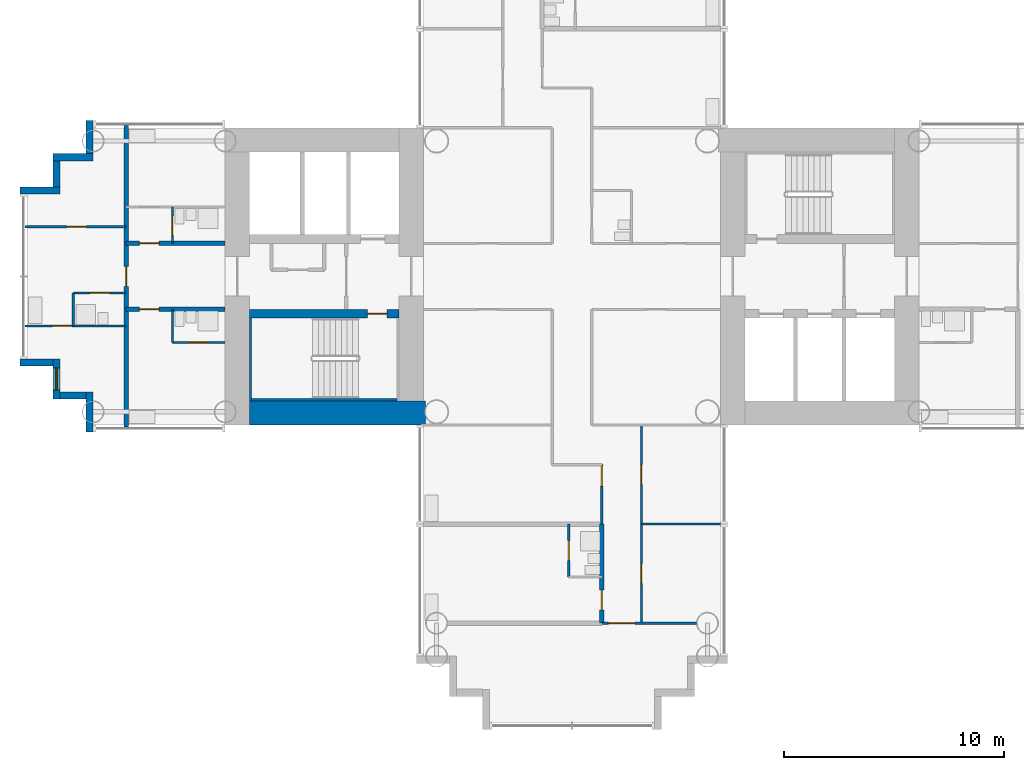
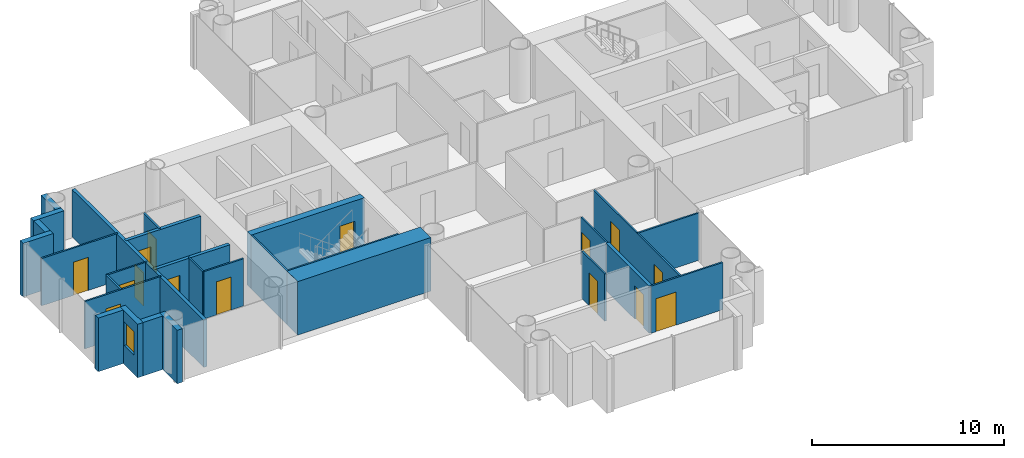
# One storey, part 9 of 21: 28 walls, 15 doors, 1 window, 16 openings.
"""IFC4 building model written with IfcOpenShell, lengths in metres."""

from ifc_helpers import new_model, si_unit, direction, frame, frame_2d, origin, place, context, subcontext, project, spatial, rectangle, extrude, material, layer, layer_set, type_object, element, fill, save


model = new_model("IFC4")

# Units and contexts
model_context = context("Model", 3, precision=1e-05, world=origin(), true_north=direction((0.0, 1.0)))
body_context = subcontext(model_context, "Body", "Model", "MODEL_VIEW")
ifc_project = project(units=[si_unit("LENGTHUNIT", "METRE"), si_unit("AREAUNIT", "SQUARE_METRE"), si_unit("VOLUMEUNIT", "CUBIC_METRE"), si_unit("PLANEANGLEUNIT", "RADIAN"), si_unit("MASSUNIT", "GRAM", prefix="KILO")], contexts=[model_context])

# Site, building, storey
site_placement = place(None, origin())
site = spatial("IfcSite", under=ifc_project, at=site_placement, CompositionType="ELEMENT")
building_placement = place(site_placement, origin())
building = spatial("IfcBuilding", under=site, at=building_placement, Name="Ipe Terrace Towers", CompositionType="ELEMENT")
storey_placement = place(building_placement, frame((0.0, 0.0, 41.5)))
storey = spatial("IfcBuildingStorey", under=building, at=storey_placement, Name="L10", CompositionType="ELEMENT", Elevation=41.5)

# Wall
ifc_material_1 = material(Name="Concrete C40/50 with buff precast cladding", Category="concrete")
ifc_layer_1 = layer(ifc_material_1, 0.320068359375)
ifc_layer_set_1 = layer_set([ifc_layer_1], Name="BUFF CLADDING WALL 320")
wall_type_1 = type_object("IfcWallType", Name="BUFF CLADDING WALL 320", PredefinedType="STANDARD", material=ifc_layer_set_1)
wall_1_placement = place(storey_placement, frame((-61.070068359375, -3.909912109375, -0.300048828125), z_axis=(0.0, 0.0, 1.0), x_axis=(1.0, 0.0, 0.0)))
element("IfcWall", 1, at=wall_1_placement, inside=storey, type_object=wall_type_1, Name="T1-W-L10-00a wall", PredefinedType="STANDARD", context=body_context, shape_type="SweptSolid", body=[
    extrude(rectangle(XDim=1.5, YDim=0.320068359375, at=frame_2d((0.75, 0.0))), origin(), (0.0, 0.0, 1.0), 3.400146484375),
])

# Wall, opening, window
wall_2_placement = place(storey_placement, frame((-59.409912109375, -3.75, -0.300048828125), z_axis=(0.0, 0.0, 1.0), x_axis=(0.0, -1.0, 0.0)))
wall_2 = element("IfcWall", 2, at=wall_2_placement, inside=storey, type_object=wall_type_1, Name="T1-W-L10-01a wall", PredefinedType="STANDARD", context=body_context, shape_type="SweptSolid", body=[
    extrude(rectangle(XDim=1.820068359375, YDim=0.320068359375, at=frame_2d((0.91015625, 0.0))), origin(), (0.0, 0.0, 1.0), 3.400146484375),
])
opening_1_placement = place(wall_2_placement, frame((0.409912109375, 0.0, 1.199951171875)))
opening_1 = element("IfcOpeningElement", 3, at=opening_1_placement, cuts=wall_2, Name="Opening T1-W-05-L10-01", PredefinedType="OPENING", context=body_context, shape_type="SweptSolid", body=[
    extrude(rectangle(XDim=1.0, YDim=1.5, at=frame_2d((0.5, 0.75))), frame((0.0, 0.169921875, 0.0), z_axis=(0.0, -1.0, 0.0), x_axis=(1.0, 0.0, 0.0)), (0.0, 0.0, 1.0), 0.340087890625),
])
ifc_material_2 = material(Name="Glass, clear laminated", Category="glass")
window_type = type_object("IfcWindowType", Name="DWELLING WINDOW 1000 x 1500", PartitioningType="SINGLE_PANEL", PredefinedType="WINDOW", material=ifc_material_2)
window_placement = place(opening_1_placement, origin())
window = element("IfcWindow", 4, at=window_placement, inside=storey, type_object=window_type, Name="W-05 window", OverallHeight=1.5, OverallWidth=1.0, PartitioningType="SINGLE_PANEL", PredefinedType="WINDOW", context=body_context, shape_type="SweptSolid", body=[
    extrude(rectangle(XDim=1.0, YDim=1.5, at=frame_2d((0.5, 0.75))), frame((0.0, 0.030029296875, 0.0), z_axis=(0.0, -1.0, 0.0), x_axis=(1.0, 0.0, 0.0)), (0.0, 0.0, 1.0), 0.06005859375),
])
fill(opening_1, window)

# Walls
wall_3_placement = place(storey_placement, frame((-59.25, -5.409912109375, -0.300048828125), z_axis=(0.0, 0.0, 1.0), x_axis=(1.0, 0.0, 0.0)))
element("IfcWall", 5, at=wall_3_placement, inside=storey, type_object=wall_type_1, Name="T1-W-L10-02a wall", PredefinedType="STANDARD", context=body_context, shape_type="SweptSolid", body=[
    extrude(rectangle(XDim=1.179931640625, YDim=0.320068359375, at=frame_2d((0.58984375, 0.0))), origin(), (0.0, 0.0, 1.0), 3.400146484375),
])
wall_4_placement = place(storey_placement, frame((-57.909912109375, -5.25, -0.300048828125), z_axis=(0.0, 0.0, 1.0), x_axis=(0.0, -1.0, 0.0)))
element("IfcWall", 6, at=wall_4_placement, inside=storey, type_object=wall_type_1, Name="T1-W-L10-03a wall", PredefinedType="STANDARD", context=body_context, shape_type="SweptSolid", body=[
    extrude(rectangle(XDim=1.820068359375, YDim=0.320068359375, at=frame_2d((0.91015625, 0.0))), origin(), (0.0, 0.0, 1.0), 3.400146484375),
])
wall_5_placement = place(storey_placement, frame((-57.909912109375, 7.070068359375, -0.300048828125), z_axis=(0.0, 0.0, 1.0), x_axis=(0.0, -1.0, 0.0)))
element("IfcWall", 7, at=wall_5_placement, inside=storey, type_object=wall_type_1, Name="T1-W-L10-47a wall", PredefinedType="STANDARD", context=body_context, shape_type="SweptSolid", body=[
    extrude(rectangle(XDim=1.5, YDim=0.320068359375, at=frame_2d((0.75, 0.0))), origin(), (0.0, 0.0, 1.0), 3.400146484375),
])
wall_6_placement = place(storey_placement, frame((-57.75, 5.409912109375, -0.300048828125), z_axis=(0.0, 0.0, 1.0), x_axis=(-1.0, 0.0, 0.0)))
element("IfcWall", 8, at=wall_6_placement, inside=storey, type_object=wall_type_1, Name="T1-W-L10-48a wall", PredefinedType="STANDARD", context=body_context, shape_type="SweptSolid", body=[
    extrude(rectangle(XDim=1.820068359375, YDim=0.320068359375, at=frame_2d((0.91015625, 0.0))), origin(), (0.0, 0.0, 1.0), 3.400146484375),
])
wall_7_placement = place(storey_placement, frame((-59.409912109375, 5.25, -0.300048828125), z_axis=(0.0, 0.0, 1.0), x_axis=(0.0, -1.0, 0.0)))
element("IfcWall", 9, at=wall_7_placement, inside=storey, type_object=wall_type_1, Name="T1-W-L10-49a wall", PredefinedType="STANDARD", context=body_context, shape_type="SweptSolid", body=[
    extrude(rectangle(XDim=1.179931640625, YDim=0.320068359375, at=frame_2d((0.58984375, 0.0))), origin(), (0.0, 0.0, 1.0), 3.400146484375),
])
wall_8_placement = place(storey_placement, frame((-59.25, 3.909912109375, -0.300048828125), z_axis=(0.0, 0.0, 1.0), x_axis=(-1.0, 0.0, 0.0)))
element("IfcWall", 10, at=wall_8_placement, inside=storey, type_object=wall_type_1, Name="T1-W-L10-50a wall", PredefinedType="STANDARD", context=body_context, shape_type="SweptSolid", body=[
    extrude(rectangle(XDim=1.820068359375, YDim=0.320068359375, at=frame_2d((0.91015625, 0.0))), origin(), (0.0, 0.0, 1.0), 3.400146484375),
])
ifc_material_3 = material(Name="Gypsum board partition", Category="plasterboard")
ifc_layer_2 = layer(ifc_material_3, 0.10009765625)
ifc_layer_set_2 = layer_set([ifc_layer_2], Name="Gypsum board partition 100 mm")
wall_type_2 = type_object("IfcWallType", Name="Gypsum board partition 100 mm", PredefinedType="PARTITIONING", material=ifc_layer_set_2)
for number, where, z_axis, x_axis, name in (
    (11, (-58.64990234375, -2.25, 0.0), (0.0, 0.0, 1.0), (0.0, 1.0, 0.0), "Gypsum board partition T1 L10 W01"),
    (12, (-54.14990234375, -3.0, 0.0), (0.0, 0.0, 1.0), (0.0, 1.0, 0.0), "Gypsum board partition T1 L10 W03"),
):
    element("IfcWall", number, at=place(storey_placement, frame(where, z_axis=z_axis, x_axis=x_axis)), inside=storey, type_object=wall_type_2, Name=name, PredefinedType="PARTITIONING", context=body_context, shape_type="SweptSolid", body=[
        extrude(rectangle(XDim=1.5, YDim=0.10009765625, at=frame_2d((0.75, 0.0))), origin(), (0.0, 0.0, 1.0), 3.0),
    ])

# Wall, opening, door
wall_9_placement = place(storey_placement, frame((-54.14990234375, 1.5, 0.0), z_axis=(0.0, 0.0, 1.0), x_axis=(0.0, 1.0, 0.0)))
wall_9 = element("IfcWall", 13, at=wall_9_placement, inside=storey, type_object=wall_type_2, Name="Gypsum board partition T1 L10 W04", PredefinedType="PARTITIONING", context=body_context, shape_type="SweptSolid", body=[
    extrude(rectangle(XDim=1.64990234375, YDim=0.10009765625, at=frame_2d((0.824951171875, 0.0))), origin(), (0.0, 0.0, 1.0), 3.0),
])
opening_2_placement = place(wall_9_placement, frame((0.35009765625, 0.0, 0.0)))
opening_2 = element("IfcOpeningElement", 14, at=opening_2_placement, cuts=wall_9, Name="Opening T1-Z1B-26", PredefinedType="OPENING", context=body_context, shape_type="SweptSolid", body=[
    extrude(rectangle(XDim=0.89990234375, YDim=2.10009765625, at=frame_2d((0.449951171875, 1.050048828125))), frame((0.0, 0.06005859375, 0.0), z_axis=(0.0, -1.0, 0.0), x_axis=(1.0, 0.0, 0.0)), (0.0, 0.0, 1.0), 0.1201171875),
])
ifc_material_4 = material(Name="Timber door leaf", Category="wood")
door_type_1 = type_object("IfcDoorType", Name="Bathroom door 900 x 2100", OperationType="NOTDEFINED", PredefinedType="DOOR", material=ifc_material_4)
door_1_placement = place(opening_2_placement, origin())
door_1 = element("IfcDoor", 15, at=door_1_placement, inside=storey, type_object=door_type_1, Name="Bathroom door T1-Z1B-26", OperationType="SINGLE_SWING_LEFT", OverallHeight=2.10009765625, OverallWidth=0.89990234375, PredefinedType="DOOR", context=body_context, shape_type="SweptSolid", body=[
    extrude(rectangle(XDim=0.89990234375, YDim=2.10009765625, at=frame_2d((0.449951171875, 1.050048828125))), frame((0.0, 0.02490234375, 0.0), z_axis=(0.0, -1.0, 0.0), x_axis=(1.0, 0.0, 0.0)), (0.0, 0.0, 1.0), 0.050048828125),
])
fill(opening_2, door_1)

wall_10_placement = place(storey_placement, frame((-36.14990234375, -13.64990234375, 0.0), z_axis=(0.0, 0.0, 1.0), x_axis=(0.0, 1.0, 0.0)))
wall_10 = element("IfcWall", 16, at=wall_10_placement, inside=storey, type_object=wall_type_2, Name="Gypsum board partition T1 L10 W10", PredefinedType="PARTITIONING", context=body_context, shape_type="SweptSolid", body=[
    extrude(rectangle(XDim=2.39990234375, YDim=0.10009765625, at=frame_2d((1.199951171875, 0.0))), origin(), (0.0, 0.0, 1.0), 3.0),
])
opening_3_placement = place(wall_10_placement, frame((0.75, 0.0, 0.0)))
opening_3 = element("IfcOpeningElement", 17, at=opening_3_placement, cuts=wall_10, Name="Opening T1-Z1B-16", PredefinedType="OPENING", context=body_context, shape_type="SweptSolid", body=[
    extrude(rectangle(XDim=0.89990234375, YDim=2.10009765625, at=frame_2d((0.449951171875, 1.050048828125))), frame((0.0, 0.06005859375, 0.0), z_axis=(0.0, -1.0, 0.0), x_axis=(1.0, 0.0, 0.0)), (0.0, 0.0, 1.0), 0.1201171875),
])
door_2_placement = place(opening_3_placement, origin())
door_2 = element("IfcDoor", 18, at=door_2_placement, inside=storey, type_object=door_type_1, Name="Bathroom door T1-Z1B-16", OperationType="SINGLE_SWING_RIGHT", OverallHeight=2.10009765625, OverallWidth=0.89990234375, PredefinedType="DOOR", context=body_context, shape_type="SweptSolid", body=[
    extrude(rectangle(XDim=0.89990234375, YDim=2.10009765625, at=frame_2d((0.449951171875, 1.050048828125))), frame((0.0, 0.02490234375, 0.0), z_axis=(0.0, -1.0, 0.0), x_axis=(1.0, 0.0, 0.0)), (0.0, 0.0, 1.0), 0.050048828125),
])
fill(opening_3, door_2)

wall_11_placement = place(storey_placement, frame((-34.64990234375, -11.25, 0.0), z_axis=(0.0, 0.0, 1.0), x_axis=(0.0, 1.0, 0.0)))
wall_11 = element("IfcWall", 19, at=wall_11_placement, inside=storey, type_object=wall_type_2, Name="Gypsum board partition T1 L10 W14", PredefinedType="PARTITIONING", context=body_context, shape_type="SweptSolid", body=[
    extrude(rectangle(XDim=2.699951171875, YDim=0.10009765625, at=frame_2d((1.35009765625, 0.0))), origin(), (0.0, 0.0, 1.0), 3.0),
])
opening_4_placement = place(wall_11_placement, frame((1.72998046875, 0.0, 0.0)))
opening_4 = element("IfcOpeningElement", 20, at=opening_4_placement, cuts=wall_11, Name="Opening T1-Z1B-14", PredefinedType="OPENING", context=body_context, shape_type="SweptSolid", body=[
    extrude(rectangle(XDim=0.89990234375, YDim=2.10009765625, at=frame_2d((0.449951171875, 1.050048828125))), frame((0.0, 0.06005859375, 0.0), z_axis=(0.0, -1.0, 0.0), x_axis=(1.0, 0.0, 0.0)), (0.0, 0.0, 1.0), 0.1201171875),
])
ifc_material_5 = material(Name="Timber door leaf", Category="wood")
door_type_2 = type_object("IfcDoorType", Name="Lounge door 900 x 2100", OperationType="NOTDEFINED", PredefinedType="DOOR", material=ifc_material_5)
door_3_placement = place(opening_4_placement, origin())
door_3 = element("IfcDoor", 21, at=door_3_placement, inside=storey, type_object=door_type_2, Name="Lounge door T1-Z1B-14", OperationType="SINGLE_SWING_LEFT", OverallHeight=2.10009765625, OverallWidth=0.89990234375, PredefinedType="DOOR", context=body_context, shape_type="SweptSolid", body=[
    extrude(rectangle(XDim=0.89990234375, YDim=2.10009765625, at=frame_2d((0.449951171875, 1.050048828125))), frame((0.0, 0.02490234375, 0.0), z_axis=(0.0, -1.0, 0.0), x_axis=(1.0, 0.0, 0.0)), (0.0, 0.0, 1.0), 0.050048828125),
])
fill(opening_4, door_3)

# Wall, openings, doors
wall_12_placement = place(storey_placement, frame((-32.85009765625, -15.75, 0.0), z_axis=(0.0, 0.0, 1.0), x_axis=(0.0, 1.0, 0.0)))
wall_12 = element("IfcWall", 22, at=wall_12_placement, inside=storey, type_object=wall_type_2, Name="Gypsum board partition T1 L10 W17", PredefinedType="PARTITIONING", context=body_context, shape_type="SweptSolid", body=[
    extrude(rectangle(XDim=9.0, YDim=0.10009765625, at=frame_2d((4.5, 0.0))), origin(), (0.0, 0.0, 1.0), 3.0),
])
opening_5_placement = place(wall_12_placement, frame((6.300048828125, 0.0, 0.0)))
opening_5 = element("IfcOpeningElement", 23, at=opening_5_placement, cuts=wall_12, Name="Opening T1-Z1B-12", PredefinedType="OPENING", context=body_context, shape_type="SweptSolid", body=[
    extrude(rectangle(XDim=0.89990234375, YDim=2.10009765625, at=frame_2d((0.449951171875, 1.050048828125))), frame((0.0, 0.06005859375, 0.0), z_axis=(0.0, -1.0, 0.0), x_axis=(1.0, 0.0, 0.0)), (0.0, 0.0, 1.0), 0.1201171875),
])
opening_6_placement = place(wall_12_placement, frame((1.800048828125, 0.0, 0.0)))
opening_6 = element("IfcOpeningElement", 24, at=opening_6_placement, cuts=wall_12, Name="Opening T1-Z1B-13", PredefinedType="OPENING", context=body_context, shape_type="SweptSolid", body=[
    extrude(rectangle(XDim=0.89990234375, YDim=2.10009765625, at=frame_2d((0.449951171875, 1.050048828125))), frame((0.0, 0.06005859375, 0.0), z_axis=(0.0, -1.0, 0.0), x_axis=(1.0, 0.0, 0.0)), (0.0, 0.0, 1.0), 0.1201171875),
])
door_4_placement = place(opening_5_placement, origin())
door_4 = element("IfcDoor", 25, at=door_4_placement, inside=storey, type_object=door_type_2, Name="Lounge door T1-Z1B-12", OperationType="SINGLE_SWING_RIGHT", OverallHeight=2.10009765625, OverallWidth=0.89990234375, PredefinedType="DOOR", context=body_context, shape_type="SweptSolid", body=[
    extrude(rectangle(XDim=0.89990234375, YDim=2.10009765625, at=frame_2d((0.449951171875, 1.050048828125))), frame((0.0, 0.02490234375, 0.0), z_axis=(0.0, -1.0, 0.0), x_axis=(1.0, 0.0, 0.0)), (0.0, 0.0, 1.0), 0.050048828125),
])
fill(opening_5, door_4)
door_5_placement = place(opening_6_placement, origin())
door_5 = element("IfcDoor", 26, at=door_5_placement, inside=storey, type_object=door_type_2, Name="Lounge door T1-Z1B-13", OperationType="SINGLE_SWING_LEFT", OverallHeight=2.10009765625, OverallWidth=0.89990234375, PredefinedType="DOOR", context=body_context, shape_type="SweptSolid", body=[
    extrude(rectangle(XDim=0.89990234375, YDim=2.10009765625, at=frame_2d((0.449951171875, 1.050048828125))), frame((0.0, 0.02490234375, 0.0), z_axis=(0.0, -1.0, 0.0), x_axis=(1.0, 0.0, 0.0)), (0.0, 0.0, 1.0), 0.050048828125),
])
fill(opening_6, door_5)

# Wall, opening, door
wall_13_placement = place(storey_placement, frame((-34.64990234375, -15.75, 0.0), z_axis=(0.0, 0.0, 1.0), x_axis=(1.0, 0.0, 0.0)))
wall_13 = element("IfcWall", 27, at=wall_13_placement, inside=storey, type_object=wall_type_2, Name="Gypsum board partition T1 L10 W21", PredefinedType="PARTITIONING", context=body_context, shape_type="SweptSolid", body=[
    extrude(rectangle(XDim=4.2998046875, YDim=0.10009765625, at=frame_2d((2.14990234375, 0.0))), origin(), (0.0, 0.0, 1.0), 3.0),
])
opening_7_placement = place(wall_13_placement, frame((0.300048828125, 0.0, 0.0)))
opening_7 = element("IfcOpeningElement", 28, at=opening_7_placement, cuts=wall_13, Name="Opening T1-Z1B-17", PredefinedType="OPENING", context=body_context, shape_type="SweptSolid", body=[
    extrude(rectangle(XDim=1.199951171875, YDim=2.10009765625, at=frame_2d((0.60009765625, 1.050048828125))), frame((0.0, 0.06005859375, 0.0), z_axis=(0.0, -1.0, 0.0), x_axis=(1.0, 0.0, 0.0)), (0.0, 0.0, 1.0), 0.1201171875),
])
ifc_material_6 = material(Name="Timber door leaf", Category="wood")
door_type_3 = type_object("IfcDoorType", Name="Lounge door 1200 x 2100", OperationType="NOTDEFINED", PredefinedType="DOOR", material=ifc_material_6)
door_6_placement = place(opening_7_placement, origin())
door_6 = element("IfcDoor", 29, at=door_6_placement, inside=storey, type_object=door_type_3, Name="Lounge door T1-Z1B-17", OperationType="SINGLE_SWING_LEFT", OverallHeight=2.10009765625, OverallWidth=1.199951171875, PredefinedType="DOOR", context=body_context, shape_type="SweptSolid", body=[
    extrude(rectangle(XDim=1.199951171875, YDim=2.10009765625, at=frame_2d((0.60009765625, 1.050048828125))), frame((0.0, 0.02490234375, 0.0), z_axis=(0.0, -1.0, 0.0), x_axis=(1.0, 0.0, 0.0)), (0.0, 0.0, 1.0), 0.050048828125),
])
fill(opening_7, door_6)

# Wall
wall_14_placement = place(storey_placement, frame((-32.85009765625, -11.25, 0.0), z_axis=(0.0, 0.0, 1.0), x_axis=(1.0, 0.0, 0.0)))
element("IfcWall", 30, at=wall_14_placement, inside=storey, type_object=wall_type_2, Name="Gypsum board partition T1 L10 W24", PredefinedType="PARTITIONING", context=body_context, shape_type="SweptSolid", body=[
    extrude(rectangle(XDim=3.7001953125, YDim=0.10009765625, at=frame_2d((1.85009765625, 0.0))), origin(), (0.0, 0.0, 1.0), 3.0),
])

# Wall, opening, door
wall_15_placement = place(storey_placement, frame((-54.14990234375, -3.0, 0.0), z_axis=(0.0, 0.0, 1.0), x_axis=(1.0, 0.0, 0.0)))
wall_15 = element("IfcWall", 31, at=wall_15_placement, inside=storey, type_object=wall_type_2, Name="Gypsum board partition T1 L10 W29", PredefinedType="PARTITIONING", context=body_context, shape_type="SweptSolid", body=[
    extrude(rectangle(XDim=2.39990234375, YDim=0.10009765625, at=frame_2d((1.199951171875, 0.0))), origin(), (0.0, 0.0, 1.0), 3.0),
])
opening_8_placement = place(wall_15_placement, frame((0.75, 0.0, 0.0)))
opening_8 = element("IfcOpeningElement", 32, at=opening_8_placement, cuts=wall_15, Name="Opening T1-Z1B-23", PredefinedType="OPENING", context=body_context, shape_type="SweptSolid", body=[
    extrude(rectangle(XDim=0.89990234375, YDim=2.10009765625, at=frame_2d((0.449951171875, 1.050048828125))), frame((0.0, 0.06005859375, 0.0), z_axis=(0.0, -1.0, 0.0), x_axis=(1.0, 0.0, 0.0)), (0.0, 0.0, 1.0), 0.1201171875),
])
door_7_placement = place(opening_8_placement, origin())
door_7 = element("IfcDoor", 33, at=door_7_placement, inside=storey, type_object=door_type_1, Name="Bathroom door T1-Z1B-23", OperationType="SINGLE_SWING_LEFT", OverallHeight=2.10009765625, OverallWidth=0.89990234375, PredefinedType="DOOR", context=body_context, shape_type="SweptSolid", body=[
    extrude(rectangle(XDim=0.89990234375, YDim=2.10009765625, at=frame_2d((0.449951171875, 1.050048828125))), frame((0.0, 0.02490234375, 0.0), z_axis=(0.0, -1.0, 0.0), x_axis=(1.0, 0.0, 0.0)), (0.0, 0.0, 1.0), 0.050048828125),
])
fill(opening_8, door_7)

wall_16_placement = place(storey_placement, frame((-60.85009765625, -2.25, 0.0), z_axis=(0.0, 0.0, 1.0), x_axis=(1.0, 0.0, 0.0)))
wall_16 = element("IfcWall", 34, at=wall_16_placement, inside=storey, type_object=wall_type_2, Name="Gypsum board partition T1 L10 W31", PredefinedType="PARTITIONING", context=body_context, shape_type="SweptSolid", body=[
    extrude(rectangle(XDim=4.60009765625, YDim=0.10009765625, at=frame_2d((2.300048828125, 0.0))), origin(), (0.0, 0.0, 1.0), 3.0),
])
opening_9_placement = place(wall_16_placement, frame((1.25, 0.0, 0.0)))
opening_9 = element("IfcOpeningElement", 35, at=opening_9_placement, cuts=wall_16, Name="Opening T1-Z1B-29", PredefinedType="OPENING", context=body_context, shape_type="SweptSolid", body=[
    extrude(rectangle(XDim=0.89990234375, YDim=2.10009765625, at=frame_2d((0.449951171875, 1.050048828125))), frame((0.0, 0.06005859375, 0.0), z_axis=(0.0, -1.0, 0.0), x_axis=(1.0, 0.0, 0.0)), (0.0, 0.0, 1.0), 0.1201171875),
])
ifc_material_7 = material(Name="Timber door leaf", Category="wood")
door_type_4 = type_object("IfcDoorType", Name="Bedroom door 900 x 2100", OperationType="NOTDEFINED", PredefinedType="DOOR", material=ifc_material_7)
door_8_placement = place(opening_9_placement, origin())
door_8 = element("IfcDoor", 36, at=door_8_placement, inside=storey, type_object=door_type_4, Name="Bedroom door T1-Z1B-29", OperationType="SINGLE_SWING_LEFT", OverallHeight=2.10009765625, OverallWidth=0.89990234375, PredefinedType="DOOR", context=body_context, shape_type="SweptSolid", body=[
    extrude(rectangle(XDim=0.89990234375, YDim=2.10009765625, at=frame_2d((0.449951171875, 1.050048828125))), frame((0.0, 0.02490234375, 0.0), z_axis=(0.0, -1.0, 0.0), x_axis=(1.0, 0.0, 0.0)), (0.0, 0.0, 1.0), 0.050048828125),
])
fill(opening_9, door_8)

wall_17_placement = place(storey_placement, frame((-58.64990234375, -0.75, 0.0), z_axis=(0.0, 0.0, 1.0), x_axis=(1.0, 0.0, 0.0)))
wall_17 = element("IfcWall", 37, at=wall_17_placement, inside=storey, type_object=wall_type_2, Name="Gypsum board partition T1 L10 W36", PredefinedType="PARTITIONING", context=body_context, shape_type="SweptSolid", body=[
    extrude(rectangle(XDim=2.39990234375, YDim=0.10009765625, at=frame_2d((1.199951171875, 0.0))), origin(), (0.0, 0.0, 1.0), 3.0),
])
opening_10_placement = place(wall_17_placement, frame((0.75, 0.0, 0.0)))
opening_10 = element("IfcOpeningElement", 38, at=opening_10_placement, cuts=wall_17, Name="Opening T1-Z1B-27", PredefinedType="OPENING", context=body_context, shape_type="SweptSolid", body=[
    extrude(rectangle(XDim=0.89990234375, YDim=2.10009765625, at=frame_2d((0.449951171875, 1.050048828125))), frame((0.0, 0.06005859375, 0.0), z_axis=(0.0, -1.0, 0.0), x_axis=(1.0, 0.0, 0.0)), (0.0, 0.0, 1.0), 0.1201171875),
])
door_9_placement = place(opening_10_placement, origin())
door_9 = element("IfcDoor", 39, at=door_9_placement, inside=storey, type_object=door_type_1, Name="Bathroom door T1-Z1B-27", OperationType="SINGLE_SWING_RIGHT", OverallHeight=2.10009765625, OverallWidth=0.89990234375, PredefinedType="DOOR", context=body_context, shape_type="SweptSolid", body=[
    extrude(rectangle(XDim=0.89990234375, YDim=2.10009765625, at=frame_2d((0.449951171875, 1.050048828125))), frame((0.0, 0.02490234375, 0.0), z_axis=(0.0, -1.0, 0.0), x_axis=(1.0, 0.0, 0.0)), (0.0, 0.0, 1.0), 0.050048828125),
])
fill(opening_10, door_9)

wall_18_placement = place(storey_placement, frame((-60.85009765625, 2.25, 0.0), z_axis=(0.0, 0.0, 1.0), x_axis=(1.0, 0.0, 0.0)))
wall_18 = element("IfcWall", 40, at=wall_18_placement, inside=storey, type_object=wall_type_2, Name="Gypsum board partition T1 L10 W41", PredefinedType="PARTITIONING", context=body_context, shape_type="SweptSolid", body=[
    extrude(rectangle(XDim=4.60009765625, YDim=0.10009765625, at=frame_2d((2.300048828125, 0.0))), origin(), (0.0, 0.0, 1.0), 3.0),
])
opening_11_placement = place(wall_18_placement, frame((1.89990234375, 0.0, 0.0)))
opening_11 = element("IfcOpeningElement", 41, at=opening_11_placement, cuts=wall_18, Name="Opening T1-Z1B-30", PredefinedType="OPENING", context=body_context, shape_type="SweptSolid", body=[
    extrude(rectangle(XDim=0.89990234375, YDim=2.10009765625, at=frame_2d((0.449951171875, 1.050048828125))), frame((0.0, 0.06005859375, 0.0), z_axis=(0.0, -1.0, 0.0), x_axis=(1.0, 0.0, 0.0)), (0.0, 0.0, 1.0), 0.1201171875),
])
door_10_placement = place(opening_11_placement, origin())
door_10 = element("IfcDoor", 42, at=door_10_placement, inside=storey, type_object=door_type_2, Name="Lounge door T1-Z1B-30", OperationType="SINGLE_SWING_LEFT", OverallHeight=2.10009765625, OverallWidth=0.89990234375, PredefinedType="DOOR", context=body_context, shape_type="SweptSolid", body=[
    extrude(rectangle(XDim=0.89990234375, YDim=2.10009765625, at=frame_2d((0.449951171875, 1.050048828125))), frame((0.0, 0.02490234375, 0.0), z_axis=(0.0, -1.0, 0.0), x_axis=(1.0, 0.0, 0.0)), (0.0, 0.0, 1.0), 0.050048828125),
])
fill(opening_11, door_10)

ifc_material_8 = material(Name="Gypsum board party wall", Category="plasterboard")
ifc_layer_3 = layer(ifc_material_8, 0.199951171875)
ifc_layer_set_3 = layer_set([ifc_layer_3], Name="Gypsum board party wall 200 mm")
wall_type_3 = type_object("IfcWallType", Name="Gypsum board party wall 200 mm", PredefinedType="SOLIDWALL", material=ifc_layer_set_3)
wall_19_placement = place(storey_placement, frame((-56.25, -6.85009765625, 0.0), z_axis=(0.0, 0.0, 1.0), x_axis=(0.0, 1.0, 0.0)))
wall_19 = element("IfcWall", 43, at=wall_19_placement, inside=storey, type_object=wall_type_3, Name="Gypsum board party wall T1 L10 W02", PredefinedType="SOLIDWALL", context=body_context, shape_type="SweptSolid", body=[
    extrude(rectangle(XDim=13.7001953125, YDim=0.199951171875, at=frame_2d((6.85009765625, 0.0))), origin(), (0.0, 0.0, 1.0), 3.0),
])
opening_12_placement = place(wall_19_placement, frame((6.39990234375, 0.0, 0.0)))
opening_12 = element("IfcOpeningElement", 44, at=opening_12_placement, cuts=wall_19, Name="Opening T1-Z1B-28", PredefinedType="OPENING", context=body_context, shape_type="SweptSolid", body=[
    extrude(rectangle(XDim=0.89990234375, YDim=2.10009765625, at=frame_2d((0.449951171875, 1.050048828125))), frame((0.0, 0.10986328125, 0.0), z_axis=(0.0, -1.0, 0.0), x_axis=(1.0, 0.0, 0.0)), (0.0, 0.0, 1.0), 0.219970703125),
])
ifc_material_9 = material(Name="Fire-rated timber door leaf", Category="wood")
door_type_5 = type_object("IfcDoorType", Name="Flat entrance door 900 x 2100 FD30S", OperationType="NOTDEFINED", PredefinedType="DOOR", material=ifc_material_9)
door_11_placement = place(opening_12_placement, origin())
door_11 = element("IfcDoor", 45, at=door_11_placement, inside=storey, type_object=door_type_5, Name="Flat entrance door T1-Z1B-28", OperationType="SINGLE_SWING_LEFT", OverallHeight=2.10009765625, OverallWidth=0.89990234375, PredefinedType="DOOR", context=body_context, shape_type="SweptSolid", body=[
    extrude(rectangle(XDim=0.89990234375, YDim=2.10009765625, at=frame_2d((0.449951171875, 1.050048828125))), frame((0.0, 0.02490234375, 0.0), z_axis=(0.0, -1.0, 0.0), x_axis=(1.0, 0.0, 0.0)), (0.0, 0.0, 1.0), 0.050048828125),
])
fill(opening_12, door_11)

wall_20_placement = place(storey_placement, frame((-34.64990234375, -15.75, 0.0), z_axis=(0.0, 0.0, 1.0), x_axis=(0.0, 1.0, 0.0)))
wall_20 = element("IfcWall", 46, at=wall_20_placement, inside=storey, type_object=wall_type_3, Name="Gypsum board party wall T1 L10 W15", PredefinedType="SOLIDWALL", context=body_context, shape_type="SweptSolid", body=[
    extrude(rectangle(XDim=4.5, YDim=0.199951171875, at=frame_2d((2.25, 0.0))), origin(), (0.0, 0.0, 1.0), 3.0),
])
opening_13_placement = place(wall_20_placement, frame((0.60009765625, 0.0, 0.0)))
opening_13 = element("IfcOpeningElement", 47, at=opening_13_placement, cuts=wall_20, Name="Opening T1-Z1B-15", PredefinedType="OPENING", context=body_context, shape_type="SweptSolid", body=[
    extrude(rectangle(XDim=0.89990234375, YDim=2.10009765625, at=frame_2d((0.449951171875, 1.050048828125))), frame((0.0, 0.10986328125, 0.0), z_axis=(0.0, -1.0, 0.0), x_axis=(1.0, 0.0, 0.0)), (0.0, 0.0, 1.0), 0.219970703125),
])
door_12_placement = place(opening_13_placement, origin())
door_12 = element("IfcDoor", 48, at=door_12_placement, inside=storey, type_object=door_type_5, Name="Flat entrance door T1-Z1B-15", OperationType="SINGLE_SWING_RIGHT", OverallHeight=2.10009765625, OverallWidth=0.89990234375, PredefinedType="DOOR", context=body_context, shape_type="SweptSolid", body=[
    extrude(rectangle(XDim=0.89990234375, YDim=2.10009765625, at=frame_2d((0.449951171875, 1.050048828125))), frame((0.0, 0.02490234375, 0.0), z_axis=(0.0, -1.0, 0.0), x_axis=(1.0, 0.0, 0.0)), (0.0, 0.0, 1.0), 0.050048828125),
])
fill(opening_13, door_12)

wall_21_placement = place(storey_placement, frame((-56.25, -1.5, 0.0), z_axis=(0.0, 0.0, 1.0), x_axis=(1.0, 0.0, 0.0)))
wall_21 = element("IfcWall", 49, at=wall_21_placement, inside=storey, type_object=wall_type_3, Name="Gypsum board party wall T1 L10 W34", PredefinedType="SOLIDWALL", context=body_context, shape_type="SweptSolid", body=[
    extrude(rectangle(XDim=4.5, YDim=0.199951171875, at=frame_2d((2.25, 0.0))), origin(), (0.0, 0.0, 1.0), 3.0),
])
opening_14_placement = place(wall_21_placement, frame((0.60009765625, 0.0, 0.0)))
opening_14 = element("IfcOpeningElement", 50, at=opening_14_placement, cuts=wall_21, Name="Opening T1-Z1B-22", PredefinedType="OPENING", context=body_context, shape_type="SweptSolid", body=[
    extrude(rectangle(XDim=0.89990234375, YDim=2.10009765625, at=frame_2d((0.449951171875, 1.050048828125))), frame((0.0, 0.10986328125, 0.0), z_axis=(0.0, -1.0, 0.0), x_axis=(1.0, 0.0, 0.0)), (0.0, 0.0, 1.0), 0.219970703125),
])
door_13_placement = place(opening_14_placement, origin())
door_13 = element("IfcDoor", 51, at=door_13_placement, inside=storey, type_object=door_type_5, Name="Flat entrance door T1-Z1B-22", OperationType="SINGLE_SWING_LEFT", OverallHeight=2.10009765625, OverallWidth=0.89990234375, PredefinedType="DOOR", context=body_context, shape_type="SweptSolid", body=[
    extrude(rectangle(XDim=0.89990234375, YDim=2.10009765625, at=frame_2d((0.449951171875, 1.050048828125))), frame((0.0, 0.02490234375, 0.0), z_axis=(0.0, -1.0, 0.0), x_axis=(1.0, 0.0, 0.0)), (0.0, 0.0, 1.0), 0.050048828125),
])
fill(opening_14, door_13)

wall_22_placement = place(storey_placement, frame((-56.25, 1.5, 0.0), z_axis=(0.0, 0.0, 1.0), x_axis=(1.0, 0.0, 0.0)))
wall_22 = element("IfcWall", 52, at=wall_22_placement, inside=storey, type_object=wall_type_3, Name="Gypsum board party wall T1 L10 W40", PredefinedType="SOLIDWALL", context=body_context, shape_type="SweptSolid", body=[
    extrude(rectangle(XDim=4.5, YDim=0.199951171875, at=frame_2d((2.25, 0.0))), origin(), (0.0, 0.0, 1.0), 3.0),
])
opening_15_placement = place(wall_22_placement, frame((0.60009765625, 0.0, 0.0)))
opening_15 = element("IfcOpeningElement", 53, at=opening_15_placement, cuts=wall_22, Name="Opening T1-Z1B-24", PredefinedType="OPENING", context=body_context, shape_type="SweptSolid", body=[
    extrude(rectangle(XDim=0.89990234375, YDim=2.10009765625, at=frame_2d((0.449951171875, 1.050048828125))), frame((0.0, 0.10986328125, 0.0), z_axis=(0.0, -1.0, 0.0), x_axis=(1.0, 0.0, 0.0)), (0.0, 0.0, 1.0), 0.219970703125),
])
door_14_placement = place(opening_15_placement, origin())
door_14 = element("IfcDoor", 54, at=door_14_placement, inside=storey, type_object=door_type_5, Name="Flat entrance door T1-Z1B-24", OperationType="SINGLE_SWING_RIGHT", OverallHeight=2.10009765625, OverallWidth=0.89990234375, PredefinedType="DOOR", context=body_context, shape_type="SweptSolid", body=[
    extrude(rectangle(XDim=0.89990234375, YDim=2.10009765625, at=frame_2d((0.449951171875, 1.050048828125))), frame((0.0, 0.02490234375, 0.0), z_axis=(0.0, -1.0, 0.0), x_axis=(1.0, 0.0, 0.0)), (0.0, 0.0, 1.0), 0.050048828125),
])
fill(opening_15, door_14)

# Walls
ifc_material_10 = material(Name="Concrete C60/75", Category="concrete")
ifc_layer_4 = layer(ifc_material_10, 0.10009765625)
ifc_layer_set_4 = layer_set([ifc_layer_4], Name="RW100 CORE INFILL WALL 100 C60-75")
wall_type_4 = type_object("IfcWallType", Name="RW100 CORE INFILL WALL 100 C60-75", PredefinedType="SHEAR", material=ifc_layer_set_4)
wall_23_placement = place(storey_placement, frame((-50.60009765625, -1.89990234375, 0.0), z_axis=(0.0, 0.0, 1.0), x_axis=(0.0, -1.0, 0.0)))
element("IfcWall", 55, at=wall_23_placement, inside=storey, type_object=wall_type_4, Name="Core infill wall T1-C2-far", PredefinedType="SHEAR", context=body_context, shape_type="SweptSolid", body=[
    extrude(rectangle(XDim=3.75, YDim=0.10009765625, at=frame_2d((1.875, 0.0))), origin(), (0.0, 0.0, 1.0), 3.39990234375),
])
wall_24_placement = place(storey_placement, frame((-43.949951171875, -5.60009765625, 0.0), z_axis=(0.0, 0.0, 1.0), x_axis=(-1.0, 0.0, 0.0)))
element("IfcWall", 56, at=wall_24_placement, inside=storey, type_object=wall_type_4, Name="Core infill wall T1-C2-back", PredefinedType="SHEAR", context=body_context, shape_type="SweptSolid", body=[
    extrude(rectangle(XDim=6.60009765625, YDim=0.10009765625, at=frame_2d((3.300048828125, 0.0))), origin(), (0.0, 0.0, 1.0), 3.39990234375),
])
ifc_material_11 = material(Name="Concrete C60/75", Category="concrete")
ifc_layer_5 = layer(ifc_material_11, 1.10009765625)
ifc_layer_set_5 = layer_set([ifc_layer_5], Name="RW1100 CORE WALL 1100 C60-75")
wall_type_5 = type_object("IfcWallType", Name="RW1100 CORE WALL 1100 C60-75", PredefinedType="SHEAR", material=ifc_layer_set_5)
wall_25_placement = place(storey_placement, frame((-50.64990234375, -6.199951171875, 0.0), z_axis=(0.0, 0.0, 1.0), x_axis=(1.0, 0.0, 0.0)))
element("IfcWall", 57, at=wall_25_placement, inside=storey, type_object=wall_type_5, Name="Core wall T1-C2-Z1-W01", PredefinedType="SHEAR", context=body_context, shape_type="SweptSolid", body=[
    extrude(rectangle(XDim=7.997802734375, YDim=1.10009765625, at=frame_2d((3.9990234375, 0.0))), origin(), (0.0, 0.0, 1.0), 3.39990234375),
])

# Wall, opening, door
ifc_material_12 = material(Name="Concrete C60/75", Category="concrete")
ifc_layer_6 = layer(ifc_material_12, 0.39990234375)
ifc_layer_set_6 = layer_set([ifc_layer_6], Name="RW400 CORE SPINE WALL 400 C60-75")
wall_type_6 = type_object("IfcWallType", Name="RW400 CORE SPINE WALL 400 C60-75", PredefinedType="SHEAR", material=ifc_layer_set_6)
wall_26_placement = place(storey_placement, frame((-50.64990234375, -1.699951171875, 0.0), z_axis=(0.0, 0.0, 1.0), x_axis=(1.0, 0.0, 0.0)))
wall_26 = element("IfcWall", 58, at=wall_26_placement, inside=storey, type_object=wall_type_6, Name="Core spine wall T1-C2-Z1-SW1", PredefinedType="SHEAR", context=body_context, shape_type="SweptSolid", body=[
    extrude(rectangle(XDim=6.7998046875, YDim=0.39990234375, at=frame_2d((3.39990234375, 0.0))), origin(), (0.0, 0.0, 1.0), 3.39990234375),
])
opening_16_placement = place(wall_26_placement, frame((5.35009765625, 0.0, 0.0)))
opening_16 = element("IfcOpeningElement", 59, at=opening_16_placement, cuts=wall_26, Name="Opening T1C2-SD", PredefinedType="OPENING", context=body_context, shape_type="SweptSolid", body=[
    extrude(rectangle(XDim=0.89990234375, YDim=2.10009765625, at=frame_2d((0.449951171875, 1.050048828125))), frame((0.0, 0.2099609375, 0.0), z_axis=(0.0, -1.0, 0.0), x_axis=(1.0, 0.0, 0.0)), (0.0, 0.0, 1.0), 0.419921875),
])
ifc_material_13 = material(Name="Fire-rated timber door leaf", Category="wood")
door_type_6 = type_object("IfcDoorType", Name="Stair door 900 x 2100 FD60", OperationType="NOTDEFINED", PredefinedType="DOOR", material=ifc_material_13)
door_15_placement = place(opening_16_placement, origin())
door_15 = element("IfcDoor", 60, at=door_15_placement, inside=storey, type_object=door_type_6, Name="Stair door T1C2-SD", OperationType="SINGLE_SWING_RIGHT", OverallHeight=2.10009765625, OverallWidth=0.89990234375, PredefinedType="DOOR", context=body_context, shape_type="SweptSolid", body=[
    extrude(rectangle(XDim=0.89990234375, YDim=2.10009765625, at=frame_2d((0.449951171875, 1.050048828125))), frame((0.0, 0.02490234375, 0.0), z_axis=(0.0, -1.0, 0.0), x_axis=(1.0, 0.0, 0.0)), (0.0, 0.0, 1.0), 0.050048828125),
])
fill(opening_16, door_15)

save(model, "model.ifc")
